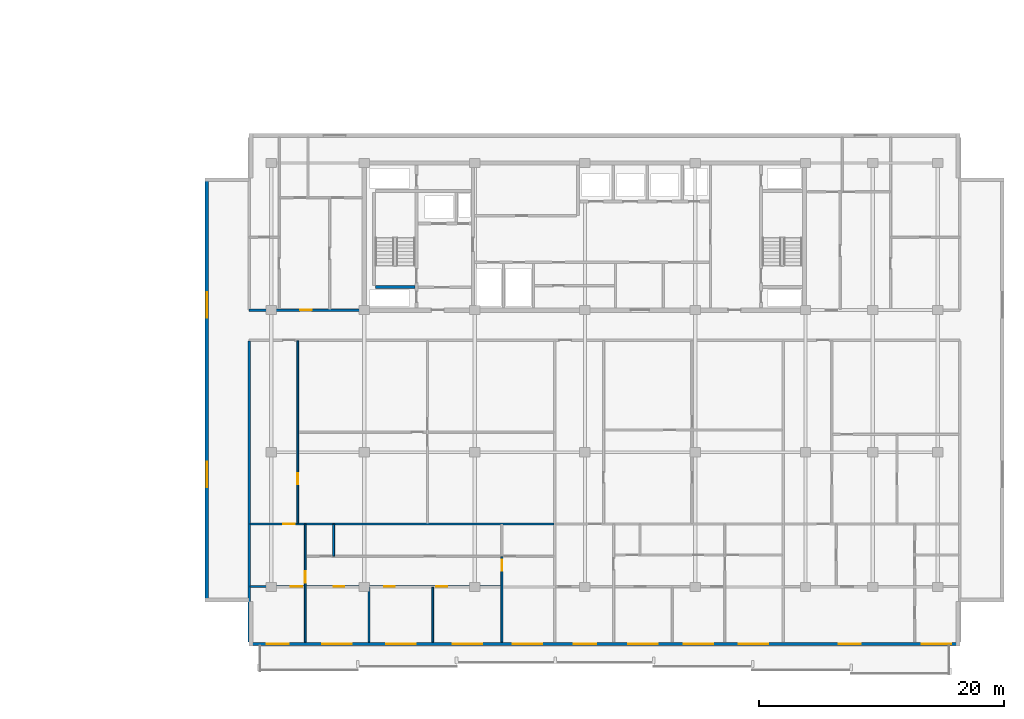
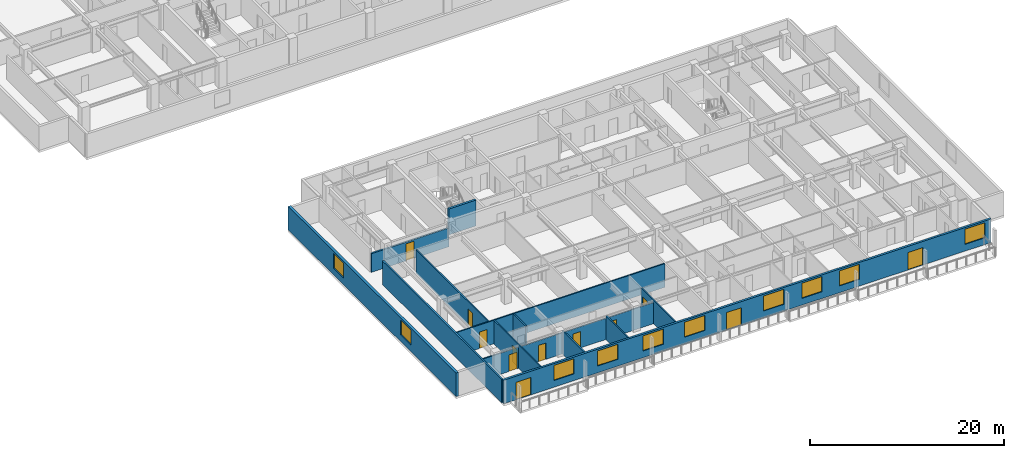
# One storey, part 4 of 22: 13 walls, 12 doors, 10 windows, 22 openings.
"""IFC4 building model written with IfcOpenShell, lengths in metres."""

from ifc_helpers import new_model, si_unit, direction, frame, frame_2d, origin, place, context, subcontext, project, spatial, rectangle, extrude, material, layer, layer_set, type_object, element, fill, save


model = new_model("IFC4")

# Units and contexts
model_context = context("Model", 3, precision=1e-05, world=origin(), true_north=direction((0.0, 1.0)))
body_context = subcontext(model_context, "Body", "Model", "MODEL_VIEW")
ifc_project = project(units=[si_unit("LENGTHUNIT", "METRE"), si_unit("AREAUNIT", "SQUARE_METRE"), si_unit("VOLUMEUNIT", "CUBIC_METRE"), si_unit("PLANEANGLEUNIT", "RADIAN"), si_unit("MASSUNIT", "GRAM", prefix="KILO")], contexts=[model_context])

# Site, building, storey
site_placement = place(None, origin())
site = spatial("IfcSite", under=ifc_project, at=site_placement, CompositionType="ELEMENT")
building_placement = place(site_placement, origin())
building = spatial("IfcBuilding", under=site, at=building_placement, Name="Korimba Cascade Residences", CompositionType="ELEMENT")
storey_placement = place(building_placement, frame((0.0, 0.0, 129.550048828125)))
storey = spatial("IfcBuildingStorey", under=building, at=storey_placement, Name="L37", CompositionType="ELEMENT", Elevation=129.550048828125)

# Wall, openings, doors, windows
ifc_material_1 = material(Name="Precast concrete C40/50", Category="concrete")
ifc_layer_1 = layer(ifc_material_1, 0.25)
ifc_layer_set_1 = layer_set([ifc_layer_1], Name="Precast concrete C40/50")
wall_type_1 = type_object("IfcWallType", Name="EW-LOG-250", PredefinedType="STANDARD", material=ifc_layer_set_1)
wall_1_placement = place(storey_placement, frame((72.699951171875, -8.85009765625, 0.0), z_axis=(0.0, 0.0, 1.0), x_axis=(1.0, 0.0, 0.0)))
wall_1 = element("IfcWall", 1, at=wall_1_placement, inside=storey, type_object=wall_type_1, Name="L37 T2 Perimeter Stone Wall E00", PredefinedType="STANDARD", context=body_context, shape_type="SweptSolid", body=[
    extrude(rectangle(XDim=58.0, YDim=0.25, at=frame_2d((29.0, 0.0))), origin(), (0.0, 0.0, 1.0), 2.969970703125),
])
opening_1_placement = place(wall_1_placement, frame((5.97998046875, 0.0, 0.85009765625)))
opening_1 = element("IfcOpeningElement", 2, at=opening_1_placement, cuts=wall_1, Name="Opening W-01", PredefinedType="OPENING", context=body_context, shape_type="SweptSolid", body=[
    extrude(rectangle(XDim=2.39990234375, YDim=1.89990234375, at=frame_2d((1.199951171875, 0.949951171875))), frame((0.0, 0.135009765625, 0.0), z_axis=(0.0, -1.0, 0.0), x_axis=(1.0, 0.0, 0.0)), (0.0, 0.0, 1.0), 0.27001953125),
])
opening_2_placement = place(wall_1_placement, frame((11.179931640625, 0.0, 0.85009765625)))
opening_2 = element("IfcOpeningElement", 3, at=opening_2_placement, cuts=wall_1, Name="Opening W-01", PredefinedType="OPENING", context=body_context, shape_type="SweptSolid", body=[
    extrude(rectangle(XDim=2.39990234375, YDim=1.89990234375, at=frame_2d((1.199951171875, 0.949951171875))), frame((0.0, 0.135009765625, 0.0), z_axis=(0.0, -1.0, 0.0), x_axis=(1.0, 0.0, 0.0)), (0.0, 0.0, 1.0), 0.27001953125),
])
opening_3_placement = place(wall_1_placement, frame((16.602294921875, 0.0, 0.85009765625)))
opening_3 = element("IfcOpeningElement", 4, at=opening_3_placement, cuts=wall_1, Name="Opening W-01", PredefinedType="OPENING", context=body_context, shape_type="SweptSolid", body=[
    extrude(rectangle(XDim=2.39990234375, YDim=1.89990234375, at=frame_2d((1.199951171875, 0.949951171875))), frame((0.0, 0.135009765625, 0.0), z_axis=(0.0, -1.0, 0.0), x_axis=(1.0, 0.0, 0.0)), (0.0, 0.0, 1.0), 0.27001953125),
])
opening_4_placement = place(wall_1_placement, frame((1.449951171875, 0.0, 0.0)))
opening_4 = element("IfcOpeningElement", 5, at=opening_4_placement, cuts=wall_1, Name="Opening D-LG1", PredefinedType="OPENING", context=body_context, shape_type="SweptSolid", body=[
    extrude(rectangle(XDim=1.800048828125, YDim=2.199951171875, at=frame_2d((0.89990234375, 1.10009765625))), frame((0.0, 0.135009765625, 0.0), z_axis=(0.0, -1.0, 0.0), x_axis=(1.0, 0.0, 0.0)), (0.0, 0.0, 1.0), 0.27001953125),
])
opening_5_placement = place(wall_1_placement, frame((21.529541015625, 0.0, 0.85009765625)))
opening_5 = element("IfcOpeningElement", 6, at=opening_5_placement, cuts=wall_1, Name="Opening W-01", PredefinedType="OPENING", context=body_context, shape_type="SweptSolid", body=[
    extrude(rectangle(XDim=2.39990234375, YDim=1.89990234375, at=frame_2d((1.199951171875, 0.949951171875))), frame((0.0, 0.135009765625, 0.0), z_axis=(0.0, -1.0, 0.0), x_axis=(1.0, 0.0, 0.0)), (0.0, 0.0, 1.0), 0.27001953125),
])
opening_6_placement = place(wall_1_placement, frame((30.9375, 0.0, 0.85009765625)))
opening_6 = element("IfcOpeningElement", 7, at=opening_6_placement, cuts=wall_1, Name="Opening W-01", PredefinedType="OPENING", context=body_context, shape_type="SweptSolid", body=[
    extrude(rectangle(XDim=2.39990234375, YDim=1.89990234375, at=frame_2d((1.199951171875, 0.949951171875))), frame((0.0, 0.135009765625, 0.0), z_axis=(0.0, -1.0, 0.0), x_axis=(1.0, 0.0, 0.0)), (0.0, 0.0, 1.0), 0.27001953125),
])
opening_7_placement = place(wall_1_placement, frame((35.473388671875, 0.0, 0.85009765625)))
opening_7 = element("IfcOpeningElement", 8, at=opening_7_placement, cuts=wall_1, Name="Opening W-01", PredefinedType="OPENING", context=body_context, shape_type="SweptSolid", body=[
    extrude(rectangle(XDim=2.39990234375, YDim=1.89990234375, at=frame_2d((1.199951171875, 0.949951171875))), frame((0.0, 0.135009765625, 0.0), z_axis=(0.0, -1.0, 0.0), x_axis=(1.0, 0.0, 0.0)), (0.0, 0.0, 1.0), 0.27001953125),
])
opening_8_placement = place(wall_1_placement, frame((26.509521484375, 0.0, 0.0)))
opening_8 = element("IfcOpeningElement", 9, at=opening_8_placement, cuts=wall_1, Name="Opening D-LG1", PredefinedType="OPENING", context=body_context, shape_type="SweptSolid", body=[
    extrude(rectangle(XDim=1.800048828125, YDim=2.199951171875, at=frame_2d((0.89990234375, 1.10009765625))), frame((0.0, 0.135009765625, 0.0), z_axis=(0.0, -1.0, 0.0), x_axis=(1.0, 0.0, 0.0)), (0.0, 0.0, 1.0), 0.27001953125),
])
opening_9_placement = place(wall_1_placement, frame((39.94140625, 0.0, 0.85009765625)))
opening_9 = element("IfcOpeningElement", 10, at=opening_9_placement, cuts=wall_1, Name="Opening W-01", PredefinedType="OPENING", context=body_context, shape_type="SweptSolid", body=[
    extrude(rectangle(XDim=2.39990234375, YDim=1.89990234375, at=frame_2d((1.199951171875, 0.949951171875))), frame((0.0, 0.135009765625, 0.0), z_axis=(0.0, -1.0, 0.0), x_axis=(1.0, 0.0, 0.0)), (0.0, 0.0, 1.0), 0.27001953125),
])
opening_10_placement = place(wall_1_placement, frame((48.113037109375, 0.0, 0.0)))
opening_10 = element("IfcOpeningElement", 11, at=opening_10_placement, cuts=wall_1, Name="Opening D-LG1", PredefinedType="OPENING", context=body_context, shape_type="SweptSolid", body=[
    extrude(rectangle(XDim=1.800048828125, YDim=2.199951171875, at=frame_2d((0.89990234375, 1.10009765625))), frame((0.0, 0.135009765625, 0.0), z_axis=(0.0, -1.0, 0.0), x_axis=(1.0, 0.0, 0.0)), (0.0, 0.0, 1.0), 0.27001953125),
])
opening_11_placement = place(wall_1_placement, frame((54.89990234375, 0.0, 0.85009765625)))
opening_11 = element("IfcOpeningElement", 12, at=opening_11_placement, cuts=wall_1, Name="Opening W-01", PredefinedType="OPENING", context=body_context, shape_type="SweptSolid", body=[
    extrude(rectangle(XDim=2.39990234375, YDim=1.89990234375, at=frame_2d((1.199951171875, 0.949951171875))), frame((0.0, 0.135009765625, 0.0), z_axis=(0.0, -1.0, 0.0), x_axis=(1.0, 0.0, 0.0)), (0.0, 0.0, 1.0), 0.27001953125),
])
ifc_material_2 = material(Name="Glazed Aluminium Loggia Sliding Door", Category="aluminium")
door_type_1 = type_object("IfcDoorType", Name="DR-EXT-LOG", OperationType="NOTDEFINED", PredefinedType="DOOR", material=ifc_material_2)
door_1_placement = place(opening_4_placement, origin())
door_1 = element("IfcDoor", 13, at=door_1_placement, inside=storey, type_object=door_type_1, Name="L37 T2 Loggia Sliding Door 6", OperationType="SLIDING_TO_RIGHT", OverallHeight=2.199951171875, OverallWidth=1.800048828125, PredefinedType="DOOR", context=body_context, shape_type="SweptSolid", body=[
    extrude(rectangle(XDim=1.800048828125, YDim=2.199951171875, at=frame_2d((0.89990234375, 1.10009765625))), frame((0.0, 0.02490234375, 0.0), z_axis=(0.0, -1.0, 0.0), x_axis=(1.0, 0.0, 0.0)), (0.0, 0.0, 1.0), 0.050048828125),
])
fill(opening_4, door_1)
door_2_placement = place(opening_8_placement, origin())
door_2 = element("IfcDoor", 14, at=door_2_placement, inside=storey, type_object=door_type_1, Name="L37 T2 Loggia Sliding Door 10", OperationType="SLIDING_TO_RIGHT", OverallHeight=2.199951171875, OverallWidth=1.800048828125, PredefinedType="DOOR", context=body_context, shape_type="SweptSolid", body=[
    extrude(rectangle(XDim=1.800048828125, YDim=2.199951171875, at=frame_2d((0.89990234375, 1.10009765625))), frame((0.0, 0.02490234375, 0.0), z_axis=(0.0, -1.0, 0.0), x_axis=(1.0, 0.0, 0.0)), (0.0, 0.0, 1.0), 0.050048828125),
])
fill(opening_8, door_2)
door_3_placement = place(opening_10_placement, origin())
door_3 = element("IfcDoor", 15, at=door_3_placement, inside=storey, type_object=door_type_1, Name="L37 T2 Loggia Sliding Door 12", OperationType="SLIDING_TO_RIGHT", OverallHeight=2.199951171875, OverallWidth=1.800048828125, PredefinedType="DOOR", context=body_context, shape_type="SweptSolid", body=[
    extrude(rectangle(XDim=1.800048828125, YDim=2.199951171875, at=frame_2d((0.89990234375, 1.10009765625))), frame((0.0, 0.02490234375, 0.0), z_axis=(0.0, -1.0, 0.0), x_axis=(1.0, 0.0, 0.0)), (0.0, 0.0, 1.0), 0.050048828125),
])
fill(opening_10, door_3)
ifc_material_3 = material(Name="Double-Glazed Aluminium Window", Category="aluminium")
window_type_1 = type_object("IfcWindowType", Name="WIN-RES-2400", PartitioningType="DOUBLE_PANEL_VERTICAL", PredefinedType="WINDOW", material=ifc_material_3)
window_1_placement = place(opening_1_placement, origin())
window_1 = element("IfcWindow", 16, at=window_1_placement, inside=storey, type_object=window_type_1, Name="L37 T2 South Facade Window 3", OverallHeight=1.89990234375, OverallWidth=2.39990234375, PartitioningType="DOUBLE_PANEL_VERTICAL", PredefinedType="WINDOW", context=body_context, shape_type="SweptSolid", body=[
    extrude(rectangle(XDim=2.39990234375, YDim=1.89990234375, at=frame_2d((1.199951171875, 0.949951171875))), frame((0.0, 0.030029296875, 0.0), z_axis=(0.0, -1.0, 0.0), x_axis=(1.0, 0.0, 0.0)), (0.0, 0.0, 1.0), 0.06005859375),
])
fill(opening_1, window_1)
window_2_placement = place(opening_2_placement, origin())
window_2 = element("IfcWindow", 17, at=window_2_placement, inside=storey, type_object=window_type_1, Name="L37 T2 South Facade Window 4", OverallHeight=1.89990234375, OverallWidth=2.39990234375, PartitioningType="DOUBLE_PANEL_VERTICAL", PredefinedType="WINDOW", context=body_context, shape_type="SweptSolid", body=[
    extrude(rectangle(XDim=2.39990234375, YDim=1.89990234375, at=frame_2d((1.199951171875, 0.949951171875))), frame((0.0, 0.030029296875, 0.0), z_axis=(0.0, -1.0, 0.0), x_axis=(1.0, 0.0, 0.0)), (0.0, 0.0, 1.0), 0.06005859375),
])
fill(opening_2, window_2)
window_3_placement = place(opening_3_placement, origin())
window_3 = element("IfcWindow", 18, at=window_3_placement, inside=storey, type_object=window_type_1, Name="L37 T2 South Facade Window 5", OverallHeight=1.89990234375, OverallWidth=2.39990234375, PartitioningType="DOUBLE_PANEL_VERTICAL", PredefinedType="WINDOW", context=body_context, shape_type="SweptSolid", body=[
    extrude(rectangle(XDim=2.39990234375, YDim=1.89990234375, at=frame_2d((1.199951171875, 0.949951171875))), frame((0.0, 0.030029296875, 0.0), z_axis=(0.0, -1.0, 0.0), x_axis=(1.0, 0.0, 0.0)), (0.0, 0.0, 1.0), 0.06005859375),
])
fill(opening_3, window_3)
window_4_placement = place(opening_5_placement, origin())
window_4 = element("IfcWindow", 19, at=window_4_placement, inside=storey, type_object=window_type_1, Name="L37 T2 South Facade Window 7", OverallHeight=1.89990234375, OverallWidth=2.39990234375, PartitioningType="DOUBLE_PANEL_VERTICAL", PredefinedType="WINDOW", context=body_context, shape_type="SweptSolid", body=[
    extrude(rectangle(XDim=2.39990234375, YDim=1.89990234375, at=frame_2d((1.199951171875, 0.949951171875))), frame((0.0, 0.030029296875, 0.0), z_axis=(0.0, -1.0, 0.0), x_axis=(1.0, 0.0, 0.0)), (0.0, 0.0, 1.0), 0.06005859375),
])
fill(opening_5, window_4)
window_5_placement = place(opening_6_placement, origin())
window_5 = element("IfcWindow", 20, at=window_5_placement, inside=storey, type_object=window_type_1, Name="L37 T2 South Facade Window 8", OverallHeight=1.89990234375, OverallWidth=2.39990234375, PartitioningType="DOUBLE_PANEL_VERTICAL", PredefinedType="WINDOW", context=body_context, shape_type="SweptSolid", body=[
    extrude(rectangle(XDim=2.39990234375, YDim=1.89990234375, at=frame_2d((1.199951171875, 0.949951171875))), frame((0.0, 0.030029296875, 0.0), z_axis=(0.0, -1.0, 0.0), x_axis=(1.0, 0.0, 0.0)), (0.0, 0.0, 1.0), 0.06005859375),
])
fill(opening_6, window_5)
window_6_placement = place(opening_7_placement, origin())
window_6 = element("IfcWindow", 21, at=window_6_placement, inside=storey, type_object=window_type_1, Name="L37 T2 South Facade Window 9", OverallHeight=1.89990234375, OverallWidth=2.39990234375, PartitioningType="DOUBLE_PANEL_VERTICAL", PredefinedType="WINDOW", context=body_context, shape_type="SweptSolid", body=[
    extrude(rectangle(XDim=2.39990234375, YDim=1.89990234375, at=frame_2d((1.199951171875, 0.949951171875))), frame((0.0, 0.030029296875, 0.0), z_axis=(0.0, -1.0, 0.0), x_axis=(1.0, 0.0, 0.0)), (0.0, 0.0, 1.0), 0.06005859375),
])
fill(opening_7, window_6)
window_7_placement = place(opening_9_placement, origin())
window_7 = element("IfcWindow", 22, at=window_7_placement, inside=storey, type_object=window_type_1, Name="L37 T2 South Facade Window 11", OverallHeight=1.89990234375, OverallWidth=2.39990234375, PartitioningType="DOUBLE_PANEL_VERTICAL", PredefinedType="WINDOW", context=body_context, shape_type="SweptSolid", body=[
    extrude(rectangle(XDim=2.39990234375, YDim=1.89990234375, at=frame_2d((1.199951171875, 0.949951171875))), frame((0.0, 0.030029296875, 0.0), z_axis=(0.0, -1.0, 0.0), x_axis=(1.0, 0.0, 0.0)), (0.0, 0.0, 1.0), 0.06005859375),
])
fill(opening_9, window_7)
window_8_placement = place(opening_11_placement, origin())
window_8 = element("IfcWindow", 23, at=window_8_placement, inside=storey, type_object=window_type_1, Name="L37 T2 South Facade Window 13", OverallHeight=1.89990234375, OverallWidth=2.39990234375, PartitioningType="DOUBLE_PANEL_VERTICAL", PredefinedType="WINDOW", context=body_context, shape_type="SweptSolid", body=[
    extrude(rectangle(XDim=2.39990234375, YDim=1.89990234375, at=frame_2d((1.199951171875, 0.949951171875))), frame((0.0, 0.030029296875, 0.0), z_axis=(0.0, -1.0, 0.0), x_axis=(1.0, 0.0, 0.0)), (0.0, 0.0, 1.0), 0.06005859375),
])
fill(opening_11, window_8)

# Wall, openings, windows
ifc_layer_2 = layer(ifc_material_1, 0.300048828125)
ifc_layer_set_2 = layer_set([ifc_layer_2], Name="Precast concrete C40/50")
wall_type_2 = type_object("IfcWallType", Name="EW-STONE-300", PredefinedType="STANDARD", material=ifc_layer_set_2)
wall_2_placement = place(storey_placement, frame((69.25, 29.199951171875, 0.0), z_axis=(0.0, 0.0, 1.0), x_axis=(0.0, -1.0, 0.0)))
wall_2 = element("IfcWall", 24, at=wall_2_placement, inside=storey, type_object=wall_type_2, Name="L37 T2 Perimeter Stone Wall E09", PredefinedType="STANDARD", context=body_context, shape_type="SweptSolid", body=[
    extrude(rectangle(XDim=34.599853515625, YDim=0.300048828125, at=frame_2d((17.2998046875, 0.0))), origin(), (0.0, 0.0, 1.0), 2.969970703125),
])
opening_12_placement = place(wall_2_placement, frame((9.330078125, 0.0, 0.85009765625)))
opening_12 = element("IfcOpeningElement", 25, at=opening_12_placement, cuts=wall_2, Name="Opening W-03", PredefinedType="OPENING", context=body_context, shape_type="SweptSolid", body=[
    extrude(rectangle(XDim=2.10009765625, YDim=1.85009765625, at=frame_2d((1.050048828125, 0.925048828125))), frame((0.0, 0.16015625, 0.0), z_axis=(0.0, -1.0, 0.0), x_axis=(1.0, 0.0, 0.0)), (0.0, 0.0, 1.0), 0.320068359375),
])
opening_13_placement = place(wall_2_placement, frame((23.169921875, 0.0, 0.85009765625)))
opening_13 = element("IfcOpeningElement", 26, at=opening_13_placement, cuts=wall_2, Name="Opening W-03", PredefinedType="OPENING", context=body_context, shape_type="SweptSolid", body=[
    extrude(rectangle(XDim=2.10009765625, YDim=1.85009765625, at=frame_2d((1.050048828125, 0.925048828125))), frame((0.0, 0.16015625, 0.0), z_axis=(0.0, -1.0, 0.0), x_axis=(1.0, 0.0, 0.0)), (0.0, 0.0, 1.0), 0.320068359375),
])
window_type_2 = type_object("IfcWindowType", Name="WIN-CRN-2100", PartitioningType="DOUBLE_PANEL_HORIZONTAL", PredefinedType="WINDOW", material=ifc_material_3)
window_9_placement = place(opening_12_placement, origin())
window_9 = element("IfcWindow", 27, at=window_9_placement, inside=storey, type_object=window_type_2, Name="L37 T2 End View Window 9.1", OverallHeight=1.85009765625, OverallWidth=2.10009765625, PartitioningType="DOUBLE_PANEL_HORIZONTAL", PredefinedType="WINDOW", context=body_context, shape_type="SweptSolid", body=[
    extrude(rectangle(XDim=2.10009765625, YDim=1.85009765625, at=frame_2d((1.050048828125, 0.925048828125))), frame((0.0, 0.030029296875, 0.0), z_axis=(0.0, -1.0, 0.0), x_axis=(1.0, 0.0, 0.0)), (0.0, 0.0, 1.0), 0.06005859375),
])
fill(opening_12, window_9)
window_10_placement = place(opening_13_placement, origin())
window_10 = element("IfcWindow", 28, at=window_10_placement, inside=storey, type_object=window_type_2, Name="L37 T2 End View Window 9.2", OverallHeight=1.85009765625, OverallWidth=2.10009765625, PartitioningType="DOUBLE_PANEL_HORIZONTAL", PredefinedType="WINDOW", context=body_context, shape_type="SweptSolid", body=[
    extrude(rectangle(XDim=2.10009765625, YDim=1.85009765625, at=frame_2d((1.050048828125, 0.925048828125))), frame((0.0, 0.030029296875, 0.0), z_axis=(0.0, -1.0, 0.0), x_axis=(1.0, 0.0, 0.0)), (0.0, 0.0, 1.0), 0.06005859375),
])
fill(opening_13, window_10)

# Wall, opening, door
ifc_layer_3 = layer(ifc_material_1, 0.199951171875)
ifc_layer_set_3 = layer_set([ifc_layer_3], Name="Precast concrete C40/50")
wall_type_3 = type_object("IfcWallType", Name="WAL-IT-200", PredefinedType="PARTITIONING", material=ifc_layer_set_3)
wall_3_placement = place(storey_placement, frame((72.699951171875, 18.39990234375, 0.0), z_axis=(0.0, 0.0, 1.0), x_axis=(1.0, 0.0, 0.0)))
wall_3 = element("IfcWall", 29, at=wall_3_placement, inside=storey, type_object=wall_type_3, Name="L37 Partition Wall WAL-L37-T2-FW-S", PredefinedType="PARTITIONING", context=body_context, shape_type="SweptSolid", body=[
    extrude(rectangle(XDim=9.25, YDim=0.199951171875, at=frame_2d((4.625, 0.0))), origin(), (0.0, 0.0, 1.0), 2.357666015625),
])
opening_14_placement = place(wall_3_placement, frame((4.14990234375, 0.0, 0.0)))
opening_14 = element("IfcOpeningElement", 30, at=opening_14_placement, cuts=wall_3, Name="Opening D-UN1", PredefinedType="OPENING", context=body_context, shape_type="SweptSolid", body=[
    extrude(rectangle(XDim=0.949951171875, YDim=2.14990234375, at=frame_2d((0.47509765625, 1.074951171875))), frame((0.0, 0.10986328125, 0.0), z_axis=(0.0, -1.0, 0.0), x_axis=(1.0, 0.0, 0.0)), (0.0, 0.0, 1.0), 0.219970703125),
])
ifc_material_4 = material(Name="Fire-Rated Hardwood Apartment Entrance Door", Category="wood")
door_type_2 = type_object("IfcDoorType", Name="DR-FD60-950", OperationType="NOTDEFINED", PredefinedType="DOOR", material=ifc_material_4)
door_4_placement = place(opening_14_placement, origin())
door_4 = element("IfcDoor", 31, at=door_4_placement, inside=storey, type_object=door_type_2, Name="L37-T2-FW Entrance Door", OperationType="SINGLE_SWING_RIGHT", OverallHeight=2.14990234375, OverallWidth=0.949951171875, PredefinedType="DOOR", context=body_context, shape_type="SweptSolid", body=[
    extrude(rectangle(XDim=0.949951171875, YDim=2.14990234375, at=frame_2d((0.47509765625, 1.074951171875))), frame((0.0, 0.02490234375, 0.0), z_axis=(0.0, -1.0, 0.0), x_axis=(1.0, 0.0, 0.0)), (0.0, 0.0, 1.0), 0.050048828125),
])
fill(opening_14, door_4)

# Wall
wall_4_placement = place(storey_placement, frame((72.699951171875, -8.699951171875, 0.0), z_axis=(0.0, 0.0, 1.0), x_axis=(0.0, 1.0, 0.0)))
element("IfcWall", 32, at=wall_4_placement, inside=storey, type_object=wall_type_3, Name="L37 Partition Wall WAL-L37-T2-BNDWL", PredefinedType="PARTITIONING", context=body_context, shape_type="SweptSolid", body=[
    extrude(rectangle(XDim=24.570068359375, YDim=0.199951171875, at=frame_2d((12.28515625, 0.0))), origin(), (0.0, 0.0, 1.0), 2.969970703125),
])

# Wall, opening, door
ifc_material_5 = material(Name="Insulated Acoustic Stud Partition", Category="gypsum")
ifc_layer_4 = layer(ifc_material_5, 0.14990234375)
ifc_layer_set_4 = layer_set([ifc_layer_4], Name="Insulated Acoustic Stud Partition")
wall_type_4 = type_object("IfcWallType", Name="WAL-PART-150", PredefinedType="PARTITIONING", material=ifc_layer_set_4)
wall_5_placement = place(storey_placement, frame((76.669921875, 0.989990234375, 0.0), z_axis=(0.0, 0.0, 1.0), x_axis=(0.0, 1.0, 0.0)))
wall_5 = element("IfcWall", 33, at=wall_5_placement, inside=storey, type_object=wall_type_4, Name="L37 Partition Wall WAL-L37-T2-U01-FV", PredefinedType="PARTITIONING", context=body_context, shape_type="SweptSolid", body=[
    extrude(rectangle(XDim=14.89990234375, YDim=0.14990234375, at=frame_2d((7.449951171875, 0.0))), origin(), (0.0, 0.0, 1.0), 2.969970703125),
])
opening_15_placement = place(wall_5_placement, frame((3.215576171875, 0.0, 0.0)))
opening_15 = element("IfcOpeningElement", 34, at=opening_15_placement, cuts=wall_5, Name="Opening D-IN2", PredefinedType="OPENING", context=body_context, shape_type="SweptSolid", body=[
    extrude(rectangle(XDim=0.8798828125, YDim=2.06005859375, at=frame_2d((0.43994140625, 1.030029296875))), frame((0.0, 0.0849609375, 0.0), z_axis=(0.0, -1.0, 0.0), x_axis=(1.0, 0.0, 0.0)), (0.0, 0.0, 1.0), 0.169921875),
])
ifc_material_6 = material(Name="Acoustic Timber Bedroom Door", Category="wood")
door_type_3 = type_object("IfcDoorType", Name="DR-INT-880", OperationType="NOTDEFINED", PredefinedType="DOOR", material=ifc_material_6)
door_5_placement = place(opening_15_placement, origin())
door_5 = element("IfcDoor", 35, at=door_5_placement, inside=storey, type_object=door_type_3, Name="L37-T2-U01 Media Lounge Door", OperationType="SINGLE_SWING_RIGHT", OverallHeight=2.06005859375, OverallWidth=0.8798828125, PredefinedType="DOOR", context=body_context, shape_type="SweptSolid", body=[
    extrude(rectangle(XDim=0.8798828125, YDim=2.06005859375, at=frame_2d((0.43994140625, 1.030029296875))), frame((0.0, 0.02490234375, 0.0), z_axis=(0.0, -1.0, 0.0), x_axis=(1.0, 0.0, 0.0)), (0.0, 0.0, 1.0), 0.050048828125),
])
fill(opening_15, door_5)

# Walls
wall_6_placement = place(storey_placement, frame((79.590087890625, -1.669921875, 0.0), z_axis=(0.0, 0.0, 1.0), x_axis=(0.0, 1.0, 0.0)))
element("IfcWall", 36, at=wall_6_placement, inside=storey, type_object=wall_type_4, Name="L37 Partition Wall WAL-L37-T2-U01-VDRS", PredefinedType="PARTITIONING", context=body_context, shape_type="SweptSolid", body=[
    extrude(rectangle(XDim=2.579833984375, YDim=0.14990234375, at=frame_2d((1.2900390625, 0.0))), origin(), (0.0, 0.0, 1.0), 2.969970703125),
])
for number, where, z_axis, x_axis, name in (
    (37, (82.47998046875, -8.699951171875, 0.0), (0.0, 0.0, 1.0), (0.0, 1.0, 0.0), "L37 Partition Wall WAL-L37-T2-U01-VB2"),
    (38, (87.679931640625, -8.699951171875, 0.0), (0.0, 0.0, 1.0), (0.0, 1.0, 0.0), "L37 Partition Wall WAL-L37-T2-U01-VB3"),
):
    element("IfcWall", number, at=place(storey_placement, frame(where, z_axis=z_axis, x_axis=x_axis)), inside=storey, type_object=wall_type_4, Name=name, PredefinedType="PARTITIONING", context=body_context, shape_type="SweptSolid", body=[
        extrude(rectangle(XDim=4.469970703125, YDim=0.14990234375, at=frame_2d((2.23486328125, 0.0))), origin(), (0.0, 0.0, 1.0), 2.969970703125),
    ])

# Wall, opening, door
wall_7_placement = place(storey_placement, frame((77.280029296875, -8.699951171875, 0.0), z_axis=(0.0, 0.0, 1.0), x_axis=(0.0, 1.0, 0.0)))
wall_7 = element("IfcWall", 39, at=wall_7_placement, inside=storey, type_object=wall_type_4, Name="L37 Partition Wall WAL-L37-T2-U01-V1", PredefinedType="PARTITIONING", context=body_context, shape_type="SweptSolid", body=[
    extrude(rectangle(XDim=9.60986328125, YDim=0.14990234375, at=frame_2d((4.804931640625, 0.0))), origin(), (0.0, 0.0, 1.0), 2.969970703125),
])
opening_16_placement = place(wall_7_placement, frame((4.8701171875, 0.0, 0.0)))
opening_16 = element("IfcOpeningElement", 40, at=opening_16_placement, cuts=wall_7, Name="Opening D-IN1", PredefinedType="OPENING", context=body_context, shape_type="SweptSolid", body=[
    extrude(rectangle(XDim=0.919921875, YDim=2.080078125, at=frame_2d((0.4599609375, 1.0400390625))), frame((0.0, 0.0849609375, 0.0), z_axis=(0.0, -1.0, 0.0), x_axis=(1.0, 0.0, 0.0)), (0.0, 0.0, 1.0), 0.169921875),
])
ifc_material_7 = material(Name="Acoustic Timber Living Door", Category="wood")
door_type_4 = type_object("IfcDoorType", Name="DR-INT-920", OperationType="NOTDEFINED", PredefinedType="DOOR", material=ifc_material_7)
door_6_placement = place(opening_16_placement, origin())
door_6 = element("IfcDoor", 41, at=door_6_placement, inside=storey, type_object=door_type_4, Name="L37-T2-U01 Hallway Door", OperationType="SINGLE_SWING_LEFT", OverallHeight=2.080078125, OverallWidth=0.919921875, PredefinedType="DOOR", context=body_context, shape_type="SweptSolid", body=[
    extrude(rectangle(XDim=0.919921875, YDim=2.080078125, at=frame_2d((0.4599609375, 1.0400390625))), frame((0.0, 0.02490234375, 0.0), z_axis=(0.0, -1.0, 0.0), x_axis=(1.0, 0.0, 0.0)), (0.0, 0.0, 1.0), 0.050048828125),
])
fill(opening_16, door_6)

wall_8_placement = place(storey_placement, frame((93.324462890625, -8.699951171875, 0.0), z_axis=(0.0, 0.0, 1.0), x_axis=(0.0, 1.0, 0.0)))
wall_8 = element("IfcWall", 42, at=wall_8_placement, inside=storey, type_object=wall_type_4, Name="L37 Partition Wall WAL-L37-T2-U01-V2FULL", PredefinedType="PARTITIONING", context=body_context, shape_type="SweptSolid", body=[
    extrude(rectangle(XDim=6.989990234375, YDim=0.14990234375, at=frame_2d((3.4951171875, 0.0))), origin(), (0.0, 0.0, 1.0), 2.969970703125),
])
opening_17_placement = place(wall_8_placement, frame((5.81005859375, 0.0, 0.0)))
opening_17 = element("IfcOpeningElement", 43, at=opening_17_placement, cuts=wall_8, Name="Opening D-IN1", PredefinedType="OPENING", context=body_context, shape_type="SweptSolid", body=[
    extrude(rectangle(XDim=0.919921875, YDim=2.080078125, at=frame_2d((0.4599609375, 1.0400390625))), frame((0.0, 0.0849609375, 0.0), z_axis=(0.0, -1.0, 0.0), x_axis=(1.0, 0.0, 0.0)), (0.0, 0.0, 1.0), 0.169921875),
])
door_7_placement = place(opening_17_placement, origin())
door_7 = element("IfcDoor", 44, at=door_7_placement, inside=storey, type_object=door_type_4, Name="L37-T2-U01 Master Bedroom Door", OperationType="SINGLE_SWING_RIGHT", OverallHeight=2.080078125, OverallWidth=0.919921875, PredefinedType="DOOR", context=body_context, shape_type="SweptSolid", body=[
    extrude(rectangle(XDim=0.919921875, YDim=2.080078125, at=frame_2d((0.4599609375, 1.0400390625))), frame((0.0, 0.02490234375, 0.0), z_axis=(0.0, -1.0, 0.0), x_axis=(1.0, 0.0, 0.0)), (0.0, 0.0, 1.0), 0.050048828125),
])
fill(opening_17, door_7)

wall_9_placement = place(storey_placement, frame((72.780029296875, 0.949951171875, 0.0), z_axis=(0.0, 0.0, 1.0), x_axis=(1.0, 0.0, 0.0)))
wall_9 = element("IfcWall", 45, at=wall_9_placement, inside=storey, type_object=wall_type_4, Name="L37 Partition Wall WAL-L37-T2-U01-MW", PredefinedType="PARTITIONING", context=body_context, shape_type="SweptSolid", body=[
    extrude(rectangle(XDim=24.79443359375, YDim=0.14990234375, at=frame_2d((12.397216796875, 0.0))), origin(), (0.0, 0.0, 1.0), 2.969970703125),
])
opening_18_placement = place(wall_9_placement, frame((2.719970703125, 0.0, 0.0)))
opening_18 = element("IfcOpeningElement", 46, at=opening_18_placement, cuts=wall_9, Name="Opening D-IN1", PredefinedType="OPENING", context=body_context, shape_type="SweptSolid", body=[
    extrude(rectangle(XDim=0.919921875, YDim=2.080078125, at=frame_2d((0.4599609375, 1.0400390625))), frame((0.0, 0.0849609375, 0.0), z_axis=(0.0, -1.0, 0.0), x_axis=(1.0, 0.0, 0.0)), (0.0, 0.0, 1.0), 0.169921875),
])
door_8_placement = place(opening_18_placement, origin())
door_8 = element("IfcDoor", 47, at=door_8_placement, inside=storey, type_object=door_type_4, Name="L37-T2-U01 Kitchen Door", OperationType="SINGLE_SWING_RIGHT", OverallHeight=2.080078125, OverallWidth=0.919921875, PredefinedType="DOOR", context=body_context, shape_type="SweptSolid", body=[
    extrude(rectangle(XDim=0.919921875, YDim=2.080078125, at=frame_2d((0.4599609375, 1.0400390625))), frame((0.0, 0.02490234375, 0.0), z_axis=(0.0, -1.0, 0.0), x_axis=(1.0, 0.0, 0.0)), (0.0, 0.0, 1.0), 0.050048828125),
])
fill(opening_18, door_8)

# Wall, openings, doors
wall_10_placement = place(storey_placement, frame((72.780029296875, -4.14990234375, 0.0), z_axis=(0.0, 0.0, 1.0), x_axis=(1.0, 0.0, 0.0)))
wall_10 = element("IfcWall", 48, at=wall_10_placement, inside=storey, type_object=wall_type_4, Name="L37 Partition Wall WAL-L37-T2-U01-HZ", PredefinedType="PARTITIONING", context=body_context, shape_type="SweptSolid", body=[
    extrude(rectangle(XDim=20.54443359375, YDim=0.14990234375, at=frame_2d((10.272216796875, 0.0))), origin(), (0.0, 0.0, 1.0), 2.663330078125),
])
opening_19_placement = place(wall_10_placement, frame((3.31005859375, 0.0, 0.0)))
opening_19 = element("IfcOpeningElement", 49, at=opening_19_placement, cuts=wall_10, Name="Opening D-IN0", PredefinedType="OPENING", context=body_context, shape_type="SweptSolid", body=[
    extrude(rectangle(XDim=0.93994140625, YDim=2.10009765625, at=frame_2d((0.469970703125, 1.050048828125))), frame((0.0, 0.0849609375, 0.0), z_axis=(0.0, -1.0, 0.0), x_axis=(1.0, 0.0, 0.0)), (0.0, 0.0, 1.0), 0.169921875),
])
opening_20_placement = place(wall_10_placement, frame((6.815185546875, 0.0, 0.0)))
opening_20 = element("IfcOpeningElement", 50, at=opening_20_placement, cuts=wall_10, Name="Opening D-IN2", PredefinedType="OPENING", context=body_context, shape_type="SweptSolid", body=[
    extrude(rectangle(XDim=0.8798828125, YDim=2.06005859375, at=frame_2d((0.43994140625, 1.030029296875))), frame((0.0, 0.0849609375, 0.0), z_axis=(0.0, -1.0, 0.0), x_axis=(1.0, 0.0, 0.0)), (0.0, 0.0, 1.0), 0.169921875),
])
opening_21_placement = place(wall_10_placement, frame((10.9287109375, 0.0, 0.0)))
opening_21 = element("IfcOpeningElement", 51, at=opening_21_placement, cuts=wall_10, Name="Opening D-IN2", PredefinedType="OPENING", context=body_context, shape_type="SweptSolid", body=[
    extrude(rectangle(XDim=0.8798828125, YDim=2.06005859375, at=frame_2d((0.43994140625, 1.030029296875))), frame((0.0, 0.0849609375, 0.0), z_axis=(0.0, -1.0, 0.0), x_axis=(1.0, 0.0, 0.0)), (0.0, 0.0, 1.0), 0.169921875),
])
opening_22_placement = place(wall_10_placement, frame((15.20654296875, 0.0, 0.0)))
opening_22 = element("IfcOpeningElement", 52, at=opening_22_placement, cuts=wall_10, Name="Opening D-IN2", PredefinedType="OPENING", context=body_context, shape_type="SweptSolid", body=[
    extrude(rectangle(XDim=0.8798828125, YDim=2.06005859375, at=frame_2d((0.43994140625, 1.030029296875))), frame((0.0, 0.0849609375, 0.0), z_axis=(0.0, -1.0, 0.0), x_axis=(1.0, 0.0, 0.0)), (0.0, 0.0, 1.0), 0.169921875),
])
door_9_placement = place(opening_20_placement, origin())
door_9 = element("IfcDoor", 53, at=door_9_placement, inside=storey, type_object=door_type_3, Name="L37-T2-U01 Bedroom 2 Door", OperationType="SINGLE_SWING_RIGHT", OverallHeight=2.06005859375, OverallWidth=0.8798828125, PredefinedType="DOOR", context=body_context, shape_type="SweptSolid", body=[
    extrude(rectangle(XDim=0.8798828125, YDim=2.06005859375, at=frame_2d((0.43994140625, 1.030029296875))), frame((0.0, 0.02490234375, 0.0), z_axis=(0.0, -1.0, 0.0), x_axis=(1.0, 0.0, 0.0)), (0.0, 0.0, 1.0), 0.050048828125),
])
fill(opening_20, door_9)
door_10_placement = place(opening_21_placement, origin())
door_10 = element("IfcDoor", 54, at=door_10_placement, inside=storey, type_object=door_type_3, Name="L37-T2-U01 Bedroom 3 Door", OperationType="SINGLE_SWING_LEFT", OverallHeight=2.06005859375, OverallWidth=0.8798828125, PredefinedType="DOOR", context=body_context, shape_type="SweptSolid", body=[
    extrude(rectangle(XDim=0.8798828125, YDim=2.06005859375, at=frame_2d((0.43994140625, 1.030029296875))), frame((0.0, 0.02490234375, 0.0), z_axis=(0.0, -1.0, 0.0), x_axis=(1.0, 0.0, 0.0)), (0.0, 0.0, 1.0), 0.050048828125),
])
fill(opening_21, door_10)
door_11_placement = place(opening_22_placement, origin())
door_11 = element("IfcDoor", 55, at=door_11_placement, inside=storey, type_object=door_type_3, Name="L37-T2-U01 Study Door", OperationType="SINGLE_SWING_RIGHT", OverallHeight=2.06005859375, OverallWidth=0.8798828125, PredefinedType="DOOR", context=body_context, shape_type="SweptSolid", body=[
    extrude(rectangle(XDim=0.8798828125, YDim=2.06005859375, at=frame_2d((0.43994140625, 1.030029296875))), frame((0.0, 0.02490234375, 0.0), z_axis=(0.0, -1.0, 0.0), x_axis=(1.0, 0.0, 0.0)), (0.0, 0.0, 1.0), 0.050048828125),
])
fill(opening_22, door_11)
ifc_material_8 = material(Name="Acoustic Timber Living Archway Door", Category="wood")
door_type_5 = type_object("IfcDoorType", Name="DR-INT-950", OperationType="NOTDEFINED", PredefinedType="DOOR", material=ifc_material_8)
door_12_placement = place(opening_19_placement, origin())
door_12 = element("IfcDoor", 56, at=door_12_placement, inside=storey, type_object=door_type_5, Name="L37-T2-U01 Living Room Door", OperationType="SINGLE_SWING_LEFT", OverallHeight=2.10009765625, OverallWidth=0.93994140625, PredefinedType="DOOR", context=body_context, shape_type="SweptSolid", body=[
    extrude(rectangle(XDim=0.93994140625, YDim=2.10009765625, at=frame_2d((0.469970703125, 1.050048828125))), frame((0.0, 0.02490234375, 0.0), z_axis=(0.0, -1.0, 0.0), x_axis=(1.0, 0.0, 0.0)), (0.0, 0.0, 1.0), 0.050048828125),
])
fill(opening_19, door_12)

# Wall
ifc_material_9 = material(Name="Concrete C50/60", Category="concrete")
ifc_layer_5 = layer(ifc_material_9, 0.25)
ifc_layer_set_5 = layer_set([ifc_layer_5], Name="Concrete C50/60")
wall_type_5 = type_object("IfcWallType", Name="WAL-SHAFT-250", PredefinedType="SHEAR", material=ifc_layer_set_5)
wall_11_placement = place(storey_placement, frame((83.0, 20.27490234375, 0.0), z_axis=(0.0, 0.0, 1.0), x_axis=(1.0, 0.0, 0.0)))
element("IfcWall", 57, at=wall_11_placement, inside=storey, type_object=wall_type_5, Name="L37 Core Shear Wall CW-L37-T2-STE1S", PredefinedType="SHEAR", context=body_context, shape_type="SweptSolid", body=[
    extrude(rectangle(XDim=3.239990234375, YDim=0.25, at=frame_2d((1.6201171875, 0.0))), origin(), (0.0, 0.0, 1.0), 3.25),
])

save(model, "model.ifc")
